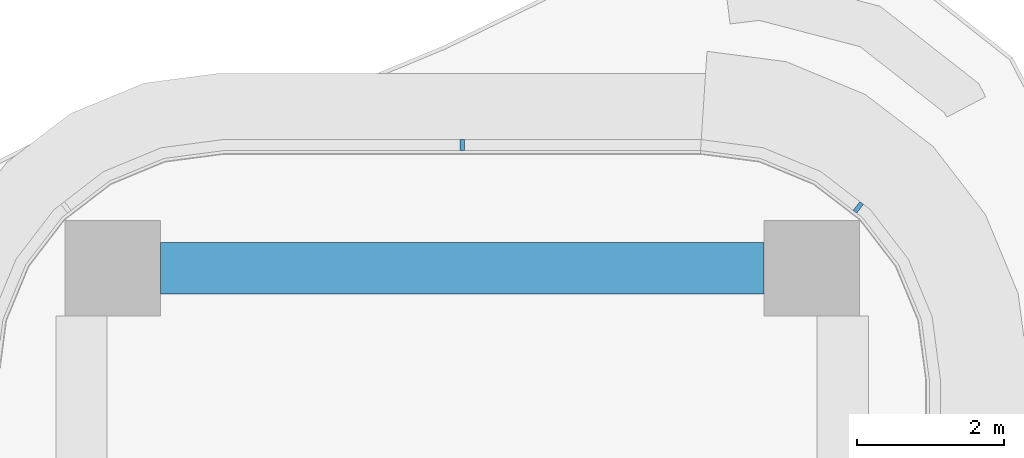
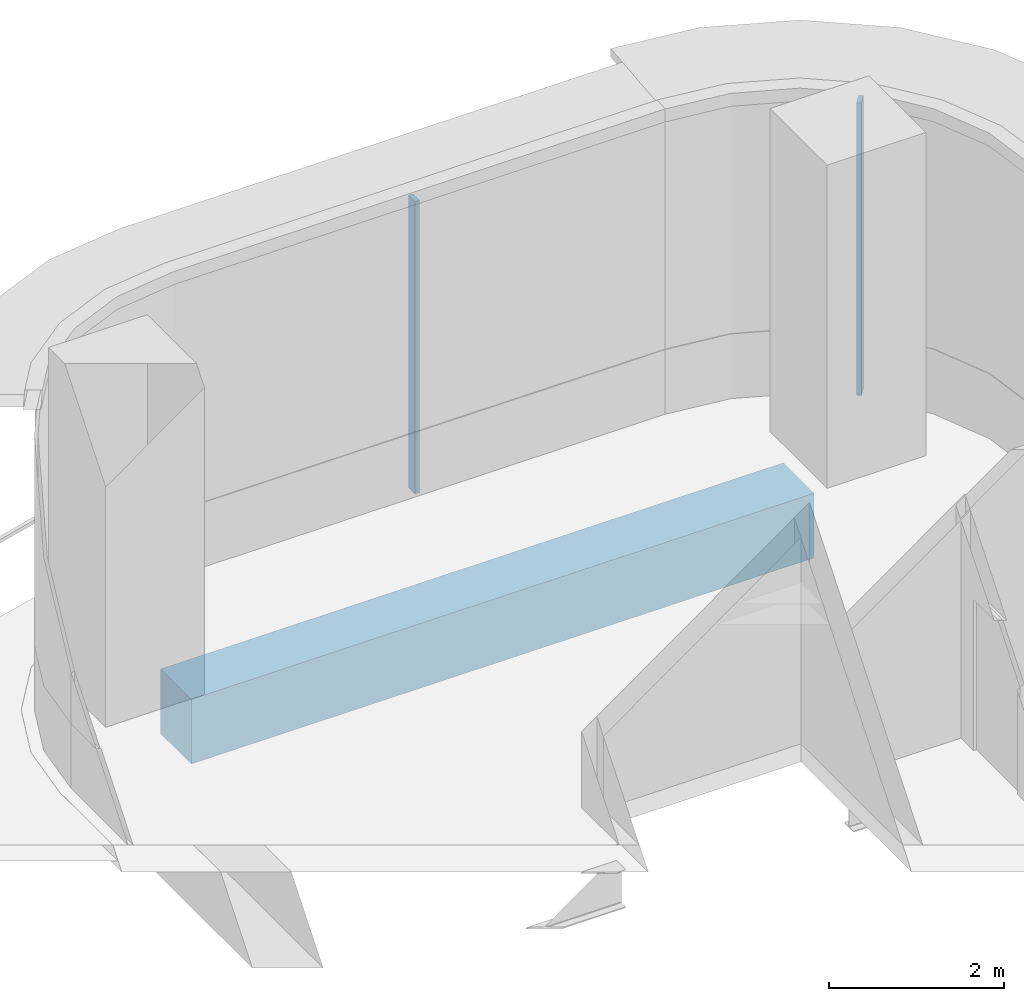
# One storey, part 12 of 21: 2 members, 1 beam, 2 elements without a shape of their own.
"""IFC4 building model written with IfcOpenShell, lengths in metres."""

from ifc_helpers import new_model, si_unit, direction, frame, origin, origin_2d, place, context, subcontext, project, spatial, rectangle, extrude, source, transform, mapped, material, layer, layer_set, material_profile, profile_set, type_object, element, aggregate, save


model = new_model("IFC4")

# Units and contexts
model_context = context("Model", 3, precision=1e-05, world=origin(), true_north=direction((0.0, 1.0)))
body_context = subcontext(model_context, "Body", "Model", "MODEL_VIEW")
ifc_project = project(units=[si_unit("LENGTHUNIT", "METRE"), si_unit("AREAUNIT", "SQUARE_METRE"), si_unit("VOLUMEUNIT", "CUBIC_METRE"), si_unit("PLANEANGLEUNIT", "RADIAN"), si_unit("MASSUNIT", "GRAM", prefix="KILO")], contexts=[model_context])

# Site, building, storey
site_placement = place(None, origin())
site = spatial("IfcSite", under=ifc_project, at=site_placement, CompositionType="ELEMENT")
building_placement = place(site_placement, origin())
building = spatial("IfcBuilding", under=site, at=building_placement, Name="Trellis Farm Tower", CompositionType="ELEMENT")
storey_placement = place(building_placement, frame((0.0, 0.0, 115.5)))
storey = spatial("IfcBuildingStorey", under=building, at=storey_placement, Name="L24", CompositionType="ELEMENT", Elevation=115.5)

# Beam
ifc_material_1 = material(Name="Concrete C60/75", Category="concrete")
ifc_material_profile_1 = material_profile(ifc_material_1, rectangle(XDim=0.699951171875, YDim=0.89990234375, at=origin_2d()), Name="RC spandrel beam 700x900 C60/75")
ifc_profile_set_1 = profile_set([ifc_material_profile_1], Name="Concrete C60/75")
beam_type = type_object("IfcBeamType", Name="RC spandrel beam 700x900 C60/75", PredefinedType="SPANDREL", material=ifc_profile_set_1)
shared_shape_1 = source(origin(), body_context, "Body", "SweptSolid", [
    extrude(rectangle(XDim=0.699951171875, YDim=0.89990234375, at=origin_2d()), origin(), (0.0, 0.0, 1.0), 8.2001953125),
])
beam_placement = place(storey_placement, frame((-4.10009765625, 24.25, -0.699951171875), z_axis=(1.0, 0.0, 0.0), x_axis=(0.0, 1.0, 0.0)))
element("IfcBeam", 1, at=beam_placement, inside=storey, type_object=beam_type, Name="Girder", PredefinedType="SPANDREL", context=body_context, shape_type="MappedRepresentation", body=[
    mapped(shared_shape_1, transform((0.0, 0.0, 0.0))),
])

# Curtain wall, member
ifc_material_2 = material(Name="Aluminium and glass curtain wall", Category="aluminium")
ifc_layer = layer(ifc_material_2, 0.18994140625)
ifc_layer_set = layer_set([ifc_layer], Name="RIBBON CURTAIN WALL CW1")
curtain_wall_type = type_object("IfcCurtainWallType", Name="RIBBON CURTAIN WALL CW1", PredefinedType="NOTDEFINED", material=ifc_layer_set)
placement = place(storey_placement, origin())
curtain_wall_1 = element("IfcCurtainWall", 2, at=placement, inside=storey, type_object=curtain_wall_type, Name="CW1 009", PredefinedType="NOTDEFINED")
ifc_material_3 = material(Name="Aluminium extrusion 6063-T6", Category="aluminium")
ifc_material_profile_2 = material_profile(ifc_material_3, rectangle(XDim=0.06005859375, YDim=0.14990234375, at=origin_2d()), Name="MULLION 60x150")
ifc_profile_set_2 = profile_set([ifc_material_profile_2], Name="Aluminium extrusion 6063-T6")
member_type = type_object("IfcMemberType", Name="CW1 MULLION 60x150", PredefinedType="MULLION", material=ifc_profile_set_2)
shared_shape_2 = source(origin(), body_context, "Body", "SweptSolid", [
    extrude(rectangle(XDim=0.06005859375, YDim=0.14990234375, at=origin_2d()), origin(), (0.0, 0.0, 1.0), 4.070068359375),
])
member_1_placement = place(storey_placement, frame((5.385498046875, 25.078369140625, 0.0), z_axis=(0.0, 0.0, 1.0), x_axis=(-0.793353340291, 0.608761429009, 0.0)))
member_1 = element("IfcMember", 3, at=member_1_placement, type_object=member_type, Name="MU1 009-03", PredefinedType="MULLION", context=body_context, shape_type="MappedRepresentation", body=[
    mapped(shared_shape_2, transform((0.0, 0.0, 0.0))),
])
aggregate(curtain_wall_1, [member_1])

curtain_wall_2 = element("IfcCurtainWall", 4, at=placement, inside=storey, type_object=curtain_wall_type, Name="CW1 010", PredefinedType="NOTDEFINED")
member_2_placement = place(storey_placement, frame((0.0, 25.925048828125, 0.0), z_axis=(0.0, 0.0, 1.0), x_axis=(-1.0, 0.0, 0.0)))
member_2 = element("IfcMember", 5, at=member_2_placement, type_object=member_type, Name="MU1 010-01", PredefinedType="MULLION", context=body_context, shape_type="MappedRepresentation", body=[
    mapped(shared_shape_2, transform((0.0, 0.0, 0.0))),
])
aggregate(curtain_wall_2, [member_2])

save(model, "model.ifc")
